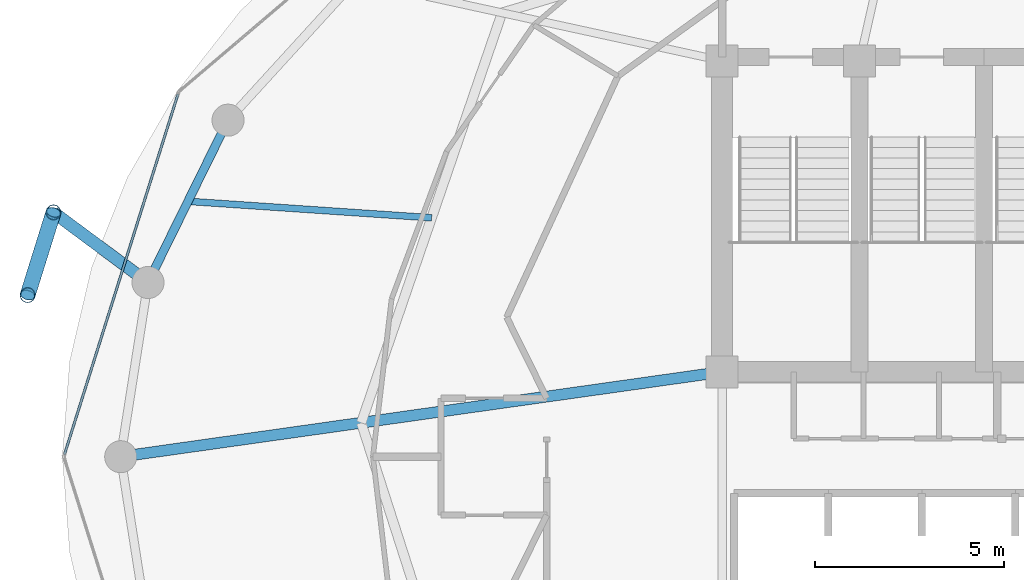
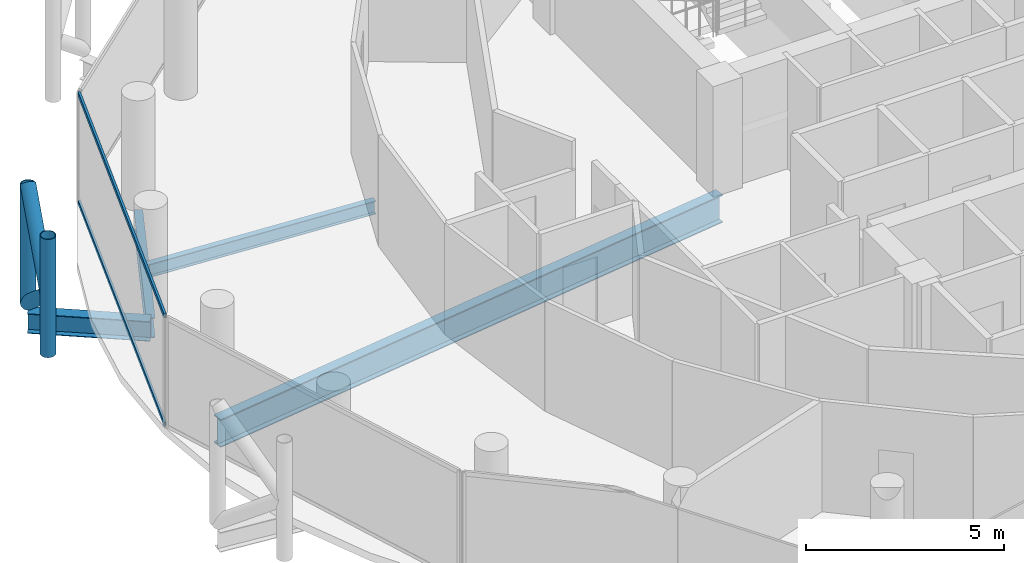
# One storey, part 8 of 27: 6 members, 4 beams, 1 element without a shape of its own.
"""IFC4 building model written with IfcOpenShell, lengths in metres."""

from ifc_helpers import new_model, si_unit, direction, frame, origin, origin_2d, place, context, subcontext, project, spatial, hollow_rectangle, hollow_circle, i_section, extrude, material, layer, layer_set, material_profile, profile_set, type_object, element, aggregate, save


model = new_model("IFC4")

# Units and contexts
model_context = context("Model", 3, precision=1e-05, world=origin(), true_north=direction((0.0, 1.0)))
body_context = subcontext(model_context, "Body", "Model", "MODEL_VIEW")
ifc_project = project(units=[si_unit("LENGTHUNIT", "METRE"), si_unit("AREAUNIT", "SQUARE_METRE"), si_unit("VOLUMEUNIT", "CUBIC_METRE"), si_unit("PLANEANGLEUNIT", "RADIAN"), si_unit("MASSUNIT", "GRAM", prefix="KILO")], contexts=[model_context])

# Site, building, storey
site_placement = place(None, origin())
site = spatial("IfcSite", under=ifc_project, at=site_placement, CompositionType="ELEMENT")
building_placement = place(site_placement, origin())
building = spatial("IfcBuilding", under=site, at=building_placement, Name="Nuhasar Tower", CompositionType="ELEMENT")
storey_placement = place(building_placement, frame((0.0, 0.0, 233.699951171875)))
storey = spatial("IfcBuildingStorey", under=building, at=storey_placement, Name="L57", CompositionType="ELEMENT", Elevation=233.699951171875)

# Beams
ifc_material_1 = material(Name="Steel S355", Category="steel")
ifc_material_profile_1 = material_profile(ifc_material_1, i_section(OverallWidth=0.177978515625, OverallDepth=0.406005859375, WebThickness=0.0078125, FlangeThickness=0.0126953125, at=origin_2d()), Name="W16X40")
ifc_profile_set_1 = profile_set([ifc_material_profile_1], Name="Steel S355")
beam_type_1 = type_object("IfcBeamType", Name="BM-JST-W16X40", PredefinedType="JOIST", material=ifc_profile_set_1)
beam_1_placement = place(storey_placement, frame((25.9970703125, 33.135986328125, -0.44287109375), z_axis=(-0.997721156568, 0.067472170095, 0.0), x_axis=(-0.067472170095, -0.997721156568, 0.0)))
element("IfcBeam", 1, at=beam_1_placement, inside=storey, type_object=beam_type_1, Name="L57 Secondary Floor Joist 07", PredefinedType="JOIST", context=body_context, shape_type="SweptSolid", body=[
    extrude(i_section(OverallWidth=0.177978515625, OverallDepth=0.406005859375, WebThickness=0.0078125, FlangeThickness=0.0126953125, at=origin_2d()), origin(), (0.0, 0.0, 1.0), 6.476806640625),
])
ifc_material_profile_2 = material_profile(ifc_material_1, i_section(OverallWidth=0.2919921875, OverallDepth=0.85888671875, WebThickness=0.01708984375, FlangeThickness=0.031005859375, at=origin_2d()), Name="W33X169")
ifc_profile_set_2 = profile_set([ifc_material_profile_2], Name="Steel S355")
beam_type_2 = type_object("IfcBeamType", Name="BM-POD-W33X169", PredefinedType="BEAM", material=ifc_profile_set_2)
beam_2_placement = place(storey_placement, frame((33.699951171875, 29.050048828125, -0.6689453125), z_axis=(-0.990196233464, -0.139683281866, 0.0), x_axis=(0.139683281866, -0.990196233464, 0.0)))
element("IfcBeam", 2, at=beam_2_placement, inside=storey, type_object=beam_type_2, Name="L57 Radial Floor Girder 08", PredefinedType="BEAM", context=body_context, shape_type="SweptSolid", body=[
    extrude(i_section(OverallWidth=0.2919921875, OverallDepth=0.85888671875, WebThickness=0.01708984375, FlangeThickness=0.031005859375, at=origin_2d()), origin(), (0.0, 0.0, 1.0), 16.10791015625),
])
ifc_material_profile_3 = material_profile(ifc_material_1, i_section(OverallWidth=0.22802734375, OverallDepth=0.60791015625, WebThickness=0.01123046875, FlangeThickness=0.017333984375, at=origin_2d()), Name="W24X76")
ifc_profile_set_3 = profile_set([ifc_material_profile_3], Name="Steel S355")
beam_type_3 = type_object("IfcBeamType", Name="BM-RING-W24X76", PredefinedType="SPANDREL", material=ifc_profile_set_3)
beam_3_placement = place(storey_placement, frame((20.596923828125, 35.72509765625, -0.5439453125), z_axis=(-0.442242604409, -0.896895467067, 0.0), x_axis=(0.896895467067, -0.442242604409, 0.0)))
element("IfcBeam", 3, at=beam_3_placement, inside=storey, type_object=beam_type_3, Name="L57 Perimeter Ring Spandrel 11", PredefinedType="SPANDREL", context=body_context, shape_type="SweptSolid", body=[
    extrude(i_section(OverallWidth=0.22802734375, OverallDepth=0.60791015625, WebThickness=0.01123046875, FlangeThickness=0.017333984375, at=origin_2d()), origin(), (0.0, 0.0, 1.0), 4.800048828125),
])
ifc_material_profile_4 = material_profile(ifc_material_1, i_section(OverallWidth=0.323974609375, OverallDepth=0.611083984375, WebThickness=0.0126953125, FlangeThickness=0.01904296875, at=origin_2d()), Name="W24X104")
ifc_profile_set_4 = profile_set([ifc_material_profile_4], Name="Steel S355")
beam_type_4 = type_object("IfcBeamType", Name="BM-TIE-W24X104", PredefinedType="BEAM", material=ifc_profile_set_4)
beam_4_placement = place(storey_placement, frame((18.47412109375, 31.419921875, -0.544921875), z_axis=(-0.802945922723, 0.596051881285, 0.0), x_axis=(-0.596051881285, -0.802945922723, 0.0)))
element("IfcBeam", 4, at=beam_4_placement, inside=storey, type_object=beam_type_4, Name="L57 Exoskeleton Node Tie Beam 06", PredefinedType="BEAM", context=body_context, shape_type="SweptSolid", body=[
    extrude(i_section(OverallWidth=0.323974609375, OverallDepth=0.611083984375, WebThickness=0.0126953125, FlangeThickness=0.01904296875, at=origin_2d()), origin(), (0.0, 0.0, 1.0), 3.122314453125),
])

# Curtain wall, members
ifc_material_2 = material(Name="Aluminium 6063-T6", Category="aluminium")
ifc_layer = layer(ifc_material_2, 0.18994140625)
ifc_layer_set = layer_set([ifc_layer], Name="Aluminium 6063-T6")
curtain_wall_type = type_object("IfcCurtainWallType", Name="CW-Z3-RES", PredefinedType="NOTDEFINED", material=ifc_layer_set)
curtain_wall_placement = place(storey_placement, origin())
curtain_wall = element("IfcCurtainWall", 5, at=curtain_wall_placement, inside=storey, type_object=curtain_wall_type, Name="L57 Unitised Curtain Wall 06", PredefinedType="NOTDEFINED")
ifc_material_profile_5 = material_profile(ifc_material_2, hollow_rectangle(XDim=0.06494140625, YDim=0.139892578125, WallThickness=0.00439453125, at=origin_2d()), Name="CWT-4")
ifc_profile_set_5 = profile_set([ifc_material_profile_5], Name="Aluminium 6063-T6")
member_type_1 = type_object("IfcMemberType", Name="CW-TRN-S4", PredefinedType="USERDEFINED", material=ifc_profile_set_5)
member_1_placement = place(storey_placement, frame((19.26953125, 36.41796875, 0.032470703125), z_axis=(-0.300437373386, -0.953801543652, 0.0), x_axis=(0.953801543652, -0.300437373386, 0.0)))
member_1 = element("IfcMember", 6, at=member_1_placement, type_object=member_type_1, Name="CW-Z3 transom 1.1", ObjectType="TRANSOM", PredefinedType="USERDEFINED", context=body_context, shape_type="SweptSolid", body=[
    extrude(hollow_rectangle(XDim=0.06494140625, YDim=0.139892578125, WallThickness=0.00439453125, at=origin_2d()), origin(), (0.0, 0.0, 1.0), 10.018798828125),
])
member_2_placement = place(storey_placement, frame((19.26953125, 36.41796875, 3.37744140625), z_axis=(-0.300437373386, -0.953801543652, 0.0), x_axis=(0.953801543652, -0.300437373386, 0.0)))
member_2 = element("IfcMember", 7, at=member_2_placement, type_object=member_type_1, Name="CW-Z3 transom 1.2", ObjectType="TRANSOM", PredefinedType="USERDEFINED", context=body_context, shape_type="SweptSolid", body=[
    extrude(hollow_rectangle(XDim=0.06494140625, YDim=0.139892578125, WallThickness=0.00439453125, at=origin_2d()), origin(), (0.0, 0.0, 1.0), 10.018798828125),
])
aggregate(curtain_wall, [member_1, member_2])

# Members
ifc_material_3 = material(Name="Steel S460", Category="steel")
ifc_material_profile_6 = material_profile(ifc_material_3, hollow_circle(Radius=0.203125, WallThickness=0.01904296875, at=origin_2d()), Name="HSS406.4X19.1")
ifc_profile_set_6 = profile_set([ifc_material_profile_6], Name="Steel S460")
member_type_2 = type_object("IfcMemberType", Name="EXO-BRONZE-406", PredefinedType="BRACE", material=ifc_profile_set_6)
for number, where, z_axis, x_axis, name in (
    (8, (15.967041015625, 33.281005859375, 0.0), (0.0, 0.0, 1.0), (1.0, 0.0, 0.0), "L57 Exoskeleton Chord Column EC-06A"),
    (9, (15.281982421875, 31.0859375, 0.0), (0.0, 0.0, 1.0), (1.0, 0.0, 0.0), "L57 Exoskeleton Chord Column EC-06B"),
):
    element("IfcMember", number, at=place(storey_placement, frame(where, z_axis=z_axis, x_axis=x_axis)), inside=storey, type_object=member_type_2, Name=name, PredefinedType="BRACE", context=body_context, shape_type="SweptSolid", body=[
        extrude(hollow_circle(Radius=0.203125, WallThickness=0.01904296875, at=origin_2d()), origin(), (0.0, 0.0, 1.0), 3.650146484375),
    ])
member_3_placement = place(storey_placement, frame((15.967041015625, 33.281005859375, 0.0), z_axis=(-0.233357911711, -0.747726651531, 0.621650174641), x_axis=(0.954591372974, -0.297918295247, 0.0)))
element("IfcMember", 10, at=member_3_placement, inside=storey, type_object=member_type_2, Name="L57 Bronze Diagrid Brace W1-06", PredefinedType="BRACE", context=body_context, shape_type="SweptSolid", body=[
    extrude(hollow_circle(Radius=0.203125, WallThickness=0.01904296875, at=origin_2d()), origin(), (0.0, 0.0, 1.0), 2.935546875),
])
member_4_placement = place(storey_placement, frame((15.281982421875, 31.0859375, 1.824951171875), z_axis=(0.233345847503, 0.747687995332, 0.621701195985), x_axis=(-0.954591372974, 0.297918295247, 0.0)))
element("IfcMember", 11, at=member_4_placement, inside=storey, type_object=member_type_2, Name="L57 Bronze Diagrid Brace W2-06", PredefinedType="BRACE", context=body_context, shape_type="SweptSolid", body=[
    extrude(hollow_circle(Radius=0.203125, WallThickness=0.01904296875, at=origin_2d()), origin(), (0.0, 0.0, 1.0), 2.935791015625),
])

save(model, "model.ifc")
